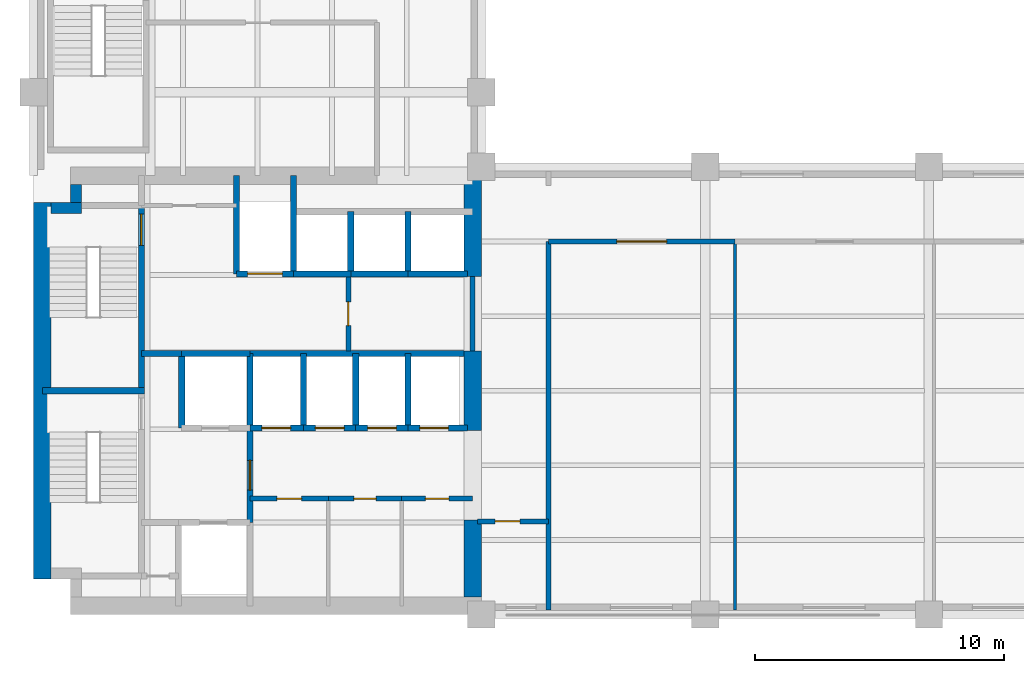
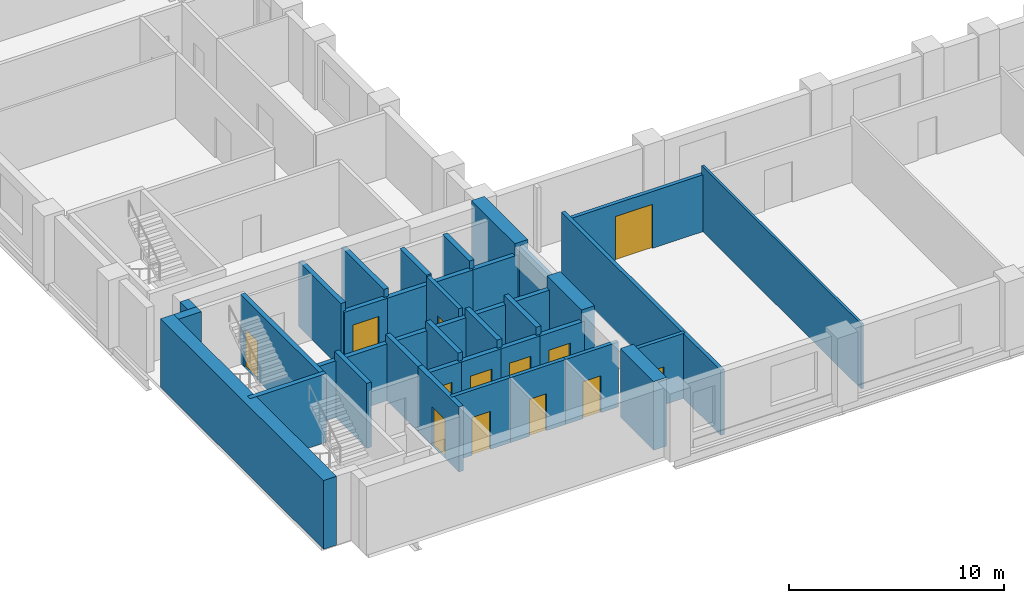
# One storey, part 3 of 7: 38 walls, 13 doors, 13 openings.
"""IFC4 building model written with IfcOpenShell, lengths in metres."""

from ifc_helpers import new_model, si_unit, direction, frame, frame_2d, origin, place, context, subcontext, project, spatial, rectangle, extrude, material, layer, layer_set, type_object, element, fill, save


model = new_model("IFC4")

# Units and contexts
model_context = context("Model", 3, precision=1e-05, world=origin(), true_north=direction((0.0, 1.0)))
body_context = subcontext(model_context, "Body", "Model", "MODEL_VIEW")
ifc_project = project(units=[si_unit("LENGTHUNIT", "METRE"), si_unit("AREAUNIT", "SQUARE_METRE"), si_unit("VOLUMEUNIT", "CUBIC_METRE"), si_unit("PLANEANGLEUNIT", "RADIAN"), si_unit("MASSUNIT", "GRAM", prefix="KILO")], contexts=[model_context])

# Site, building, storey
site_placement = place(None, origin())
site = spatial("IfcSite", under=ifc_project, at=site_placement, CompositionType="ELEMENT")
building_placement = place(site_placement, origin())
building = spatial("IfcBuilding", under=site, at=building_placement, Name="Mawjdan Bourse Tower", CompositionType="ELEMENT")
storey_placement = place(building_placement, frame((0.0, 0.0, 105.0)))
storey = spatial("IfcBuildingStorey", under=building, at=storey_placement, Name="L24", CompositionType="ELEMENT", Elevation=105.0)

# Wall, opening, door
ifc_material_1 = material(Name="Gypsum Fireboard Assembly")
ifc_layer_1 = layer(ifc_material_1, 0.199951171875)
ifc_layer_set_1 = layer_set([ifc_layer_1], Name="Gypsum Fireboard Assembly")
wall_type_1 = type_object("IfcWallType", Name="WL-CMP-200", PredefinedType="PARTITIONING", material=ifc_layer_set_1)
wall_1_placement = place(storey_placement, frame((14.699951171875, 7.659912109375, 0.0), z_axis=(0.0, 0.0, 1.0), x_axis=(1.0, 0.0, 0.0)))
wall_1 = element("IfcWall", 1, at=wall_1_placement, inside=storey, type_object=wall_type_1, Name="L24 Prayer & Quiet Reflection Room North Wall", PredefinedType="PARTITIONING", context=body_context, shape_type="SweptSolid", body=[
    extrude(rectangle(XDim=3.150146484375, YDim=0.199951171875, at=frame_2d((1.5751953125, 0.0))), origin(), (0.0, 0.0, 1.0), 3.68994140625),
])
opening_1_placement = place(wall_1_placement, frame((1.074951171875, 0.0, 0.0)))
opening_1 = element("IfcOpeningElement", 2, at=opening_1_placement, cuts=wall_1, Name="Opening D-L24-10", PredefinedType="OPENING", context=body_context, shape_type="SweptSolid", body=[
    extrude(rectangle(XDim=1.0, YDim=2.14990234375, at=frame_2d((0.5, 1.074951171875))), frame((0.0, 0.10986328125, 0.0), z_axis=(0.0, -1.0, 0.0), x_axis=(1.0, 0.0, 0.0)), (0.0, 0.0, 1.0), 0.219970703125),
])
ifc_material_2 = material(Name="Hardwood Acoustic Leaf", Category="wood")
door_type_1 = type_object("IfcDoorType", Name="DR-OFC-1000", OperationType="NOTDEFINED", PredefinedType="DOOR", material=ifc_material_2)
door_1_placement = place(opening_1_placement, origin())
door_1 = element("IfcDoor", 3, at=door_1_placement, inside=storey, type_object=door_type_1, Name="L24 Prayer & Quiet Reflection Room Door D-L24-10", OperationType="SINGLE_SWING_LEFT", OverallHeight=2.14990234375, OverallWidth=1.0, PredefinedType="DOOR", context=body_context, shape_type="SweptSolid", body=[
    extrude(rectangle(XDim=1.0, YDim=2.14990234375, at=frame_2d((0.5, 1.074951171875))), frame((0.0, 0.02490234375, 0.0), z_axis=(0.0, -1.0, 0.0), x_axis=(1.0, 0.0, 0.0)), (0.0, 0.0, 1.0), 0.050048828125),
])
fill(opening_1, door_1)

wall_2_placement = place(storey_placement, frame((17.85009765625, 7.659912109375, 0.0), z_axis=(0.0, 0.0, 1.0), x_axis=(1.0, 0.0, 0.0)))
wall_2 = element("IfcWall", 4, at=wall_2_placement, inside=storey, type_object=wall_type_1, Name="L24 Electrical Switchboard Room North Wall", PredefinedType="PARTITIONING", context=body_context, shape_type="SweptSolid", body=[
    extrude(rectangle(XDim=2.949951171875, YDim=0.199951171875, at=frame_2d((1.47509765625, 0.0))), origin(), (0.0, 0.0, 1.0), 3.68994140625),
])
opening_2_placement = place(wall_2_placement, frame((1.02490234375, 0.0, 0.0)))
opening_2 = element("IfcOpeningElement", 5, at=opening_2_placement, cuts=wall_2, Name="Opening D-L24-11", PredefinedType="OPENING", context=body_context, shape_type="SweptSolid", body=[
    extrude(rectangle(XDim=0.89990234375, YDim=2.10009765625, at=frame_2d((0.449951171875, 1.050048828125))), frame((0.0, 0.10986328125, 0.0), z_axis=(0.0, -1.0, 0.0), x_axis=(1.0, 0.0, 0.0)), (0.0, 0.0, 1.0), 0.219970703125),
])
ifc_material_3 = material(Name="Fire-Rated Steel Access Leaf", Category="steel")
door_type_2 = type_object("IfcDoorType", Name="FD-RSR-0900", OperationType="NOTDEFINED", PredefinedType="TRAPDOOR", material=ifc_material_3)
door_2_placement = place(opening_2_placement, origin())
door_2 = element("IfcDoor", 6, at=door_2_placement, inside=storey, type_object=door_type_2, Name="L24 Electrical Switchboard Room Door D-L24-11", OperationType="SINGLE_SWING_RIGHT", OverallHeight=2.10009765625, OverallWidth=0.89990234375, PredefinedType="TRAPDOOR", context=body_context, shape_type="SweptSolid", body=[
    extrude(rectangle(XDim=0.89990234375, YDim=2.10009765625, at=frame_2d((0.449951171875, 1.050048828125))), frame((0.0, 0.02490234375, 0.0), z_axis=(0.0, -1.0, 0.0), x_axis=(1.0, 0.0, 0.0)), (0.0, 0.0, 1.0), 0.050048828125),
])
fill(opening_2, door_2)

wall_3_placement = place(storey_placement, frame((20.800048828125, 7.659912109375, 0.0), z_axis=(0.0, 0.0, 1.0), x_axis=(1.0, 0.0, 0.0)))
wall_3 = element("IfcWall", 7, at=wall_3_placement, inside=storey, type_object=wall_type_1, Name="L24 Staff Beverage Pantry North Wall", PredefinedType="PARTITIONING", context=body_context, shape_type="SweptSolid", body=[
    extrude(rectangle(XDim=2.849853515625, YDim=0.199951171875, at=frame_2d((1.4248046875, 0.0))), origin(), (0.0, 0.0, 1.0), 3.68994140625),
])
opening_3_placement = place(wall_3_placement, frame((0.949951171875, 0.0, 0.0)))
opening_3 = element("IfcOpeningElement", 8, at=opening_3_placement, cuts=wall_3, Name="Opening D-L24-12", PredefinedType="OPENING", context=body_context, shape_type="SweptSolid", body=[
    extrude(rectangle(XDim=0.949951171875, YDim=2.10009765625, at=frame_2d((0.47509765625, 1.050048828125))), frame((0.0, 0.10986328125, 0.0), z_axis=(0.0, -1.0, 0.0), x_axis=(1.0, 0.0, 0.0)), (0.0, 0.0, 1.0), 0.219970703125),
])
ifc_material_4 = material(Name="Moisture-Resistant Laminate Timber", Category="wood")
door_type_3 = type_object("IfcDoorType", Name="DR-WET-0950", OperationType="NOTDEFINED", PredefinedType="DOOR", material=ifc_material_4)
door_3_placement = place(opening_3_placement, origin())
door_3 = element("IfcDoor", 9, at=door_3_placement, inside=storey, type_object=door_type_3, Name="L24 Staff Beverage Pantry Door D-L24-12", OperationType="SINGLE_SWING_LEFT", OverallHeight=2.10009765625, OverallWidth=0.949951171875, PredefinedType="DOOR", context=body_context, shape_type="SweptSolid", body=[
    extrude(rectangle(XDim=0.949951171875, YDim=2.10009765625, at=frame_2d((0.47509765625, 1.050048828125))), frame((0.0, 0.02490234375, 0.0), z_axis=(0.0, -1.0, 0.0), x_axis=(1.0, 0.0, 0.0)), (0.0, 0.0, 1.0), 0.050048828125),
])
fill(opening_3, door_3)

wall_4_placement = place(storey_placement, frame((18.64990234375, 13.60009765625, 0.0), z_axis=(0.0, 0.0, 1.0), x_axis=(0.0, 1.0, 0.0)))
wall_4 = element("IfcWall", 10, at=wall_4_placement, inside=storey, type_object=wall_type_1, Name="L24 Core Restroom West Wall", PredefinedType="PARTITIONING", context=body_context, shape_type="SweptSolid", body=[
    extrude(rectangle(XDim=3.0, YDim=0.199951171875, at=frame_2d((1.5, 0.0))), origin(), (0.0, 0.0, 1.0), 3.68994140625),
])
opening_4_placement = place(wall_4_placement, frame((1.02001953125, 0.0, 0.0)))
opening_4 = element("IfcOpeningElement", 11, at=opening_4_placement, cuts=wall_4, Name="Opening D-L24-17", PredefinedType="OPENING", context=body_context, shape_type="SweptSolid", body=[
    extrude(rectangle(XDim=0.949951171875, YDim=2.10009765625, at=frame_2d((0.47509765625, 1.050048828125))), frame((0.0, 0.10986328125, 0.0), z_axis=(0.0, -1.0, 0.0), x_axis=(1.0, 0.0, 0.0)), (0.0, 0.0, 1.0), 0.219970703125),
])
door_4_placement = place(opening_4_placement, origin())
door_4 = element("IfcDoor", 12, at=door_4_placement, inside=storey, type_object=door_type_3, Name="L24 Accessible WC Entry Door D-L24-17", OperationType="SINGLE_SWING_RIGHT", OverallHeight=2.10009765625, OverallWidth=0.949951171875, PredefinedType="DOOR", context=body_context, shape_type="SweptSolid", body=[
    extrude(rectangle(XDim=0.949951171875, YDim=2.10009765625, at=frame_2d((0.47509765625, 1.050048828125))), frame((0.0, 0.02490234375, 0.0), z_axis=(0.0, -1.0, 0.0), x_axis=(1.0, 0.0, 0.0)), (0.0, 0.0, 1.0), 0.050048828125),
])
fill(opening_4, door_4)

# Wall
wall_5_placement = place(storey_placement, frame((23.64990234375, 13.60009765625, 0.0), z_axis=(0.0, 0.0, 1.0), x_axis=(0.0, 1.0, 0.0)))
element("IfcWall", 13, at=wall_5_placement, inside=storey, type_object=wall_type_1, Name="L24 Core Restroom East Enclosing Wall", PredefinedType="PARTITIONING", context=body_context, shape_type="SweptSolid", body=[
    extrude(rectangle(XDim=3.0, YDim=0.199951171875, at=frame_2d((1.5, 0.0))), origin(), (0.0, 0.0, 1.0), 3.68994140625),
])

# Wall, opening, door
wall_6_placement = place(storey_placement, frame((23.85009765625, 6.75, 0.0), z_axis=(0.0, 0.0, 1.0), x_axis=(1.0, 0.0, 0.0)))
wall_6 = element("IfcWall", 14, at=wall_6_placement, inside=storey, type_object=wall_type_1, Name="L24 West Pocket North Wall", PredefinedType="PARTITIONING", context=body_context, shape_type="SweptSolid", body=[
    extrude(rectangle(XDim=2.849853515625, YDim=0.199951171875, at=frame_2d((1.4248046875, 0.0))), origin(), (0.0, 0.0, 1.0), 3.68994140625),
])
opening_5_placement = place(wall_6_placement, frame((0.699951171875, 0.0, 0.0)))
opening_5 = element("IfcOpeningElement", 15, at=opening_5_placement, cuts=wall_6, Name="Opening D-L24-20", PredefinedType="OPENING", context=body_context, shape_type="SweptSolid", body=[
    extrude(rectangle(XDim=1.0, YDim=2.14990234375, at=frame_2d((0.5, 1.074951171875))), frame((0.0, 0.10986328125, 0.0), z_axis=(0.0, -1.0, 0.0), x_axis=(1.0, 0.0, 0.0)), (0.0, 0.0, 1.0), 0.219970703125),
])
door_5_placement = place(opening_5_placement, origin())
door_5 = element("IfcDoor", 16, at=door_5_placement, inside=storey, type_object=door_type_1, Name="L24 West Pocket Office Door D-L24-20", OperationType="SINGLE_SWING_LEFT", OverallHeight=2.14990234375, OverallWidth=1.0, PredefinedType="DOOR", context=body_context, shape_type="SweptSolid", body=[
    extrude(rectangle(XDim=1.0, YDim=2.14990234375, at=frame_2d((0.5, 1.074951171875))), frame((0.0, 0.02490234375, 0.0), z_axis=(0.0, -1.0, 0.0), x_axis=(1.0, 0.0, 0.0)), (0.0, 0.0, 1.0), 0.050048828125),
])
fill(opening_5, door_5)

# Wall
wall_7_placement = place(storey_placement, frame((26.699951171875, 3.179931640625, 0.0), z_axis=(0.0, 0.0, 1.0), x_axis=(0.0, 1.0, 0.0)))
element("IfcWall", 17, at=wall_7_placement, inside=storey, type_object=wall_type_1, Name="L24 Vestibule South East Wall", PredefinedType="PARTITIONING", context=body_context, shape_type="SweptSolid", body=[
    extrude(rectangle(XDim=14.820068359375, YDim=0.199951171875, at=frame_2d((7.41015625, 0.0))), origin(), (0.0, 0.0, 1.0), 3.68994140625),
])

# Wall, opening, door
wall_8_placement = place(storey_placement, frame((26.699951171875, 18.0, 0.0), z_axis=(0.0, 0.0, 1.0), x_axis=(1.0, 0.0, 0.0)))
wall_8 = element("IfcWall", 18, at=wall_8_placement, inside=storey, type_object=wall_type_1, Name="L24 Institutional Brokerage Hall Corridor Wall", PredefinedType="PARTITIONING", context=body_context, shape_type="SweptSolid", body=[
    extrude(rectangle(XDim=7.5, YDim=0.199951171875, at=frame_2d((3.75, 0.0))), origin(), (0.0, 0.0, 1.0), 3.22705078125),
])
opening_6_placement = place(wall_8_placement, frame((2.75, 0.0, 0.0)))
opening_6 = element("IfcOpeningElement", 19, at=opening_6_placement, cuts=wall_8, Name="Opening D-L24-21", PredefinedType="OPENING", context=body_context, shape_type="SweptSolid", body=[
    extrude(rectangle(XDim=2.0, YDim=2.5, at=frame_2d((1.0, 1.25))), frame((0.0, 0.10986328125, 0.0), z_axis=(0.0, -1.0, 0.0), x_axis=(1.0, 0.0, 0.0)), (0.0, 0.0, 1.0), 0.219970703125),
])
ifc_material_5 = material(Name="Acoustic Veneered Timber", Category="wood")
door_type_4 = type_object("IfcDoorType", Name="DR-ASM-2000", OperationType="DOUBLE_DOOR_SINGLE_SWING", PredefinedType="DOOR", material=ifc_material_5)
door_6_placement = place(opening_6_placement, origin())
door_6 = element("IfcDoor", 20, at=door_6_placement, inside=storey, type_object=door_type_4, Name="L24 Institutional Brokerage Hall Door D-L24-21", OperationType="DOUBLE_DOOR_SINGLE_SWING", OverallHeight=2.5, OverallWidth=2.0, PredefinedType="DOOR", context=body_context, shape_type="SweptSolid", body=[
    extrude(rectangle(XDim=2.0, YDim=2.5, at=frame_2d((1.0, 1.25))), frame((0.0, 0.02490234375, 0.0), z_axis=(0.0, -1.0, 0.0), x_axis=(1.0, 0.0, 0.0)), (0.0, 0.0, 1.0), 0.050048828125),
])
fill(opening_6, door_6)

# Walls
ifc_material_6 = material(Name="Concrete C60/75", Category="concrete")
ifc_layer_2 = layer(ifc_material_6, 0.449951171875)
ifc_layer_set_2 = layer_set([ifc_layer_2], Name="Concrete C60/75")
wall_type_2 = type_object("IfcWallType", Name="WL-CORE-450", PredefinedType="SHEAR", material=ifc_layer_set_2)
wall_9_placement = place(storey_placement, frame((6.699951171875, 19.35009765625, 0.0), z_axis=(0.0, 0.0, 1.0), x_axis=(1.0, 0.0, 0.0)))
element("IfcWall", 21, at=wall_9_placement, inside=storey, type_object=wall_type_2, Name="L24 Rear Core Shear Wall NW-X", PredefinedType="SHEAR", context=body_context, shape_type="SweptSolid", body=[
    extrude(rectangle(XDim=1.22509765625, YDim=0.449951171875, at=frame_2d((0.612548828125, 0.0))), origin(), (0.0, 0.0, 1.0), 3.89990234375),
])
wall_10_placement = place(storey_placement, frame((7.699951171875, 19.574951171875, 0.0), z_axis=(0.0, 0.0, 1.0), x_axis=(0.0, 1.0, 0.0)))
element("IfcWall", 22, at=wall_10_placement, inside=storey, type_object=wall_type_2, Name="L24 Rear Core Shear Wall NW-Y", PredefinedType="SHEAR", context=body_context, shape_type="SweptSolid", body=[
    extrude(rectangle(XDim=0.72509765625, YDim=0.449951171875, at=frame_2d((0.362548828125, 0.0))), origin(), (0.0, 0.0, 1.0), 3.89990234375),
])
ifc_material_7 = material(Name="Concrete C70/85", Category="concrete")
ifc_layer_3 = layer(ifc_material_7, 0.699951171875)
ifc_layer_set_3 = layer_set([ifc_layer_3], Name="Concrete C70/85")
wall_type_3 = type_object("IfcWallType", Name="WL-CORE-700", PredefinedType="SHEAR", material=ifc_layer_set_3)
wall_11_placement = place(storey_placement, frame((6.35009765625, 4.425048828125, 0.0), z_axis=(0.0, 0.0, 1.0), x_axis=(0.0, 1.0, 0.0)))
element("IfcWall", 23, at=wall_11_placement, inside=storey, type_object=wall_type_3, Name="L24 Rear Core Shear Wall W", PredefinedType="SHEAR", context=body_context, shape_type="SweptSolid", body=[
    extrude(rectangle(XDim=15.14990234375, YDim=0.699951171875, at=frame_2d((7.574951171875, 0.0))), origin(), (0.0, 0.0, 1.0), 3.89990234375),
])
wall_12_placement = place(storey_placement, frame((23.64990234375, 3.699951171875, 0.0), z_axis=(0.0, 0.0, 1.0), x_axis=(0.0, 1.0, 0.0)))
element("IfcWall", 24, at=wall_12_placement, inside=storey, type_object=wall_type_3, Name="L24 Rear Core Shear Wall E1", PredefinedType="SHEAR", context=body_context, shape_type="SweptSolid", body=[
    extrude(rectangle(XDim=3.10009765625, YDim=0.699951171875, at=frame_2d((1.550048828125, 0.0))), origin(), (0.0, 0.0, 1.0), 3.89990234375),
])
wall_13_placement = place(storey_placement, frame((23.64990234375, 10.39990234375, 0.0), z_axis=(0.0, 0.0, 1.0), x_axis=(0.0, 1.0, 0.0)))
element("IfcWall", 25, at=wall_13_placement, inside=storey, type_object=wall_type_3, Name="L24 Rear Core Shear Wall E2", PredefinedType="SHEAR", context=body_context, shape_type="SweptSolid", body=[
    extrude(rectangle(XDim=3.2001953125, YDim=0.699951171875, at=frame_2d((1.60009765625, 0.0))), origin(), (0.0, 0.0, 1.0), 3.89990234375),
])
wall_14_placement = place(storey_placement, frame((23.64990234375, 16.60009765625, 0.0), z_axis=(0.0, 0.0, 1.0), x_axis=(0.0, 1.0, 0.0)))
element("IfcWall", 26, at=wall_14_placement, inside=storey, type_object=wall_type_3, Name="L24 Rear Core Shear Wall E3", PredefinedType="SHEAR", context=body_context, shape_type="SweptSolid", body=[
    extrude(rectangle(XDim=4.0498046875, YDim=0.699951171875, at=frame_2d((2.02490234375, 0.0))), origin(), (0.0, 0.0, 1.0), 3.89990234375),
])
ifc_material_8 = material(Name="Gypsum Partition")
ifc_layer_4 = layer(ifc_material_8, 0.125)
ifc_layer_set_4 = layer_set([ifc_layer_4], Name="Gypsum Partition")
wall_type_4 = type_object("IfcWallType", Name="WL-PRT-125", PredefinedType="PARTITIONING", material=ifc_layer_set_4)
wall_15_placement = place(storey_placement, frame((34.199951171875, 3.179931640625, 0.0), z_axis=(0.0, 0.0, 1.0), x_axis=(0.0, 1.0, 0.0)))
element("IfcWall", 27, at=wall_15_placement, inside=storey, type_object=wall_type_4, Name="L24 Conference Room Partition", PredefinedType="PARTITIONING", context=body_context, shape_type="SweptSolid", body=[
    extrude(rectangle(XDim=14.820068359375, YDim=0.125, at=frame_2d((7.41015625, 0.0))), origin(), (0.0, 0.0, 1.0), 3.68994140625),
])
ifc_material_9 = material(Name="Concrete C50/60", Category="concrete")
ifc_layer_5 = layer(ifc_material_9, 0.25)
ifc_layer_set_5 = layer_set([ifc_layer_5], Name="Concrete C50/60")
wall_type_5 = type_object("IfcWallType", Name="WL-SHFT-250", PredefinedType="PARTITIONING", material=ifc_layer_set_5)
wall_16_placement = place(storey_placement, frame((11.949951171875, 10.5, 0.0), z_axis=(0.0, 0.0, 1.0), x_axis=(0.0, 1.0, 0.0)))
element("IfcWall", 28, at=wall_16_placement, inside=storey, type_object=wall_type_5, Name="L24 FFL-02 West Shaft Wall", PredefinedType="PARTITIONING", context=body_context, shape_type="SweptSolid", body=[
    extrude(rectangle(XDim=3.0, YDim=0.25, at=frame_2d((1.5, 0.0))), origin(), (0.0, 0.0, 1.0), 3.68994140625),
])
wall_17_placement = place(storey_placement, frame((11.949951171875, 13.5, 0.0), z_axis=(0.0, 0.0, 1.0), x_axis=(1.0, 0.0, 0.0)))
element("IfcWall", 29, at=wall_17_placement, inside=storey, type_object=wall_type_5, Name="L24 FFL-02 North Shaft Wall", PredefinedType="PARTITIONING", context=body_context, shape_type="SweptSolid", body=[
    extrude(rectangle(XDim=2.75, YDim=0.25, at=frame_2d((1.375, 0.0))), origin(), (0.0, 0.0, 1.0), 3.22705078125),
])
wall_18_placement = place(storey_placement, frame((14.699951171875, 10.5, 0.0), z_axis=(0.0, 0.0, 1.0), x_axis=(0.0, 1.0, 0.0)))
element("IfcWall", 30, at=wall_18_placement, inside=storey, type_object=wall_type_5, Name="L24 FFL-02 East Shaft Wall", PredefinedType="PARTITIONING", context=body_context, shape_type="SweptSolid", body=[
    extrude(rectangle(XDim=3.0, YDim=0.25, at=frame_2d((1.5, 0.0))), origin(), (0.0, 0.0, 1.0), 3.68994140625),
])

# Wall, opening, door
wall_19_placement = place(storey_placement, frame((14.699951171875, 6.699951171875, 0.0), z_axis=(0.0, 0.0, 1.0), x_axis=(0.0, 1.0, 0.0)))
wall_19 = element("IfcWall", 31, at=wall_19_placement, inside=storey, type_object=wall_type_5, Name="L24 Firefighting Lobby East Compartment Wall", PredefinedType="PARTITIONING", context=body_context, shape_type="SweptSolid", body=[
    extrude(rectangle(XDim=3.800048828125, YDim=0.25, at=frame_2d((1.89990234375, 0.0))), origin(), (0.0, 0.0, 1.0), 3.68994140625),
])
opening_7_placement = place(wall_19_placement, frame((1.300048828125, 0.0, 0.0)))
opening_7 = element("IfcOpeningElement", 32, at=opening_7_placement, cuts=wall_19, Name="Opening FD-L24-07", PredefinedType="OPENING", context=body_context, shape_type="SweptSolid", body=[
    extrude(rectangle(XDim=1.199951171875, YDim=2.199951171875, at=frame_2d((0.60009765625, 1.10009765625))), frame((0.0, 0.135009765625, 0.0), z_axis=(0.0, -1.0, 0.0), x_axis=(1.0, 0.0, 0.0)), (0.0, 0.0, 1.0), 0.27001953125),
])
ifc_material_10 = material(Name="Fire-Rated Steel Leaf", Category="steel")
door_type_5 = type_object("IfcDoorType", Name="FD-FFL-1200", OperationType="NOTDEFINED", PredefinedType="DOOR", material=ifc_material_10)
door_7_placement = place(opening_7_placement, origin())
door_7 = element("IfcDoor", 33, at=door_7_placement, inside=storey, type_object=door_type_5, Name="L24 Firefighting Lobby East Smoke Door FD-L24-07", OperationType="SINGLE_SWING_LEFT", OverallHeight=2.199951171875, OverallWidth=1.199951171875, PredefinedType="DOOR", context=body_context, shape_type="SweptSolid", body=[
    extrude(rectangle(XDim=1.199951171875, YDim=2.199951171875, at=frame_2d((0.60009765625, 1.10009765625))), frame((0.0, 0.02490234375, 0.0), z_axis=(0.0, -1.0, 0.0), x_axis=(1.0, 0.0, 0.0)), (0.0, 0.0, 1.0), 0.050048828125),
])
fill(opening_7, door_7)

# Wall
wall_20_placement = place(storey_placement, frame((10.330078125, 13.5, 0.0), z_axis=(0.0, 0.0, 1.0), x_axis=(1.0, 0.0, 0.0)))
element("IfcWall", 34, at=wall_20_placement, inside=storey, type_object=wall_type_5, Name="L24 Firefighting Lobby North Compartment Wall", PredefinedType="PARTITIONING", context=body_context, shape_type="SweptSolid", body=[
    extrude(rectangle(XDim=1.619873046875, YDim=0.25, at=frame_2d((0.81005859375, 0.0))), origin(), (0.0, 0.0, 1.0), 3.22705078125),
])

# Wall, opening, door
wall_21_placement = place(storey_placement, frame((14.14990234375, 16.699951171875, 0.0), z_axis=(0.0, 0.0, 1.0), x_axis=(1.0, 0.0, 0.0)))
wall_21 = element("IfcWall", 35, at=wall_21_placement, inside=storey, type_object=wall_type_5, Name="L24 SVL-01 Front Shaft Wall", PredefinedType="PARTITIONING", context=body_context, shape_type="SweptSolid", body=[
    extrude(rectangle(XDim=2.300048828125, YDim=0.25, at=frame_2d((1.14990234375, 0.0))), origin(), (0.0, 0.0, 1.0), 3.22705078125),
])
opening_8_placement = place(wall_21_placement, frame((0.449951171875, 0.0, 0.0)))
opening_8 = element("IfcOpeningElement", 36, at=opening_8_placement, cuts=wall_21, Name="Opening LD-L24-09", PredefinedType="OPENING", context=body_context, shape_type="SweptSolid", body=[
    extrude(rectangle(XDim=1.39990234375, YDim=2.35009765625, at=frame_2d((0.699951171875, 1.175048828125))), frame((0.0, 0.135009765625, 0.0), z_axis=(0.0, -1.0, 0.0), x_axis=(1.0, 0.0, 0.0)), (0.0, 0.0, 1.0), 0.27001953125),
])
ifc_material_11 = material(Name="Heavy-Duty Stainless Steel", Category="steel")
door_type_6 = type_object("IfcDoorType", Name="LD-SRV-1400", OperationType="DOUBLE_DOOR_SLIDING", PredefinedType="DOOR", material=ifc_material_11)
door_8_placement = place(opening_8_placement, origin())
door_8 = element("IfcDoor", 37, at=door_8_placement, inside=storey, type_object=door_type_6, Name="L24 Service Lift SVL-01 Landing Door LD-L24-09", OperationType="DOUBLE_DOOR_SLIDING", OverallHeight=2.35009765625, OverallWidth=1.39990234375, PredefinedType="DOOR", context=body_context, shape_type="SweptSolid", body=[
    extrude(rectangle(XDim=1.39990234375, YDim=2.35009765625, at=frame_2d((0.699951171875, 1.175048828125))), frame((0.0, 0.02490234375, 0.0), z_axis=(0.0, -1.0, 0.0), x_axis=(1.0, 0.0, 0.0)), (0.0, 0.0, 1.0), 0.050048828125),
])
fill(opening_8, door_8)

# Walls
for number, where, z_axis, x_axis, name in (
    (38, (14.14990234375, 16.699951171875, 0.0), (0.0, 0.0, 1.0), (0.0, 1.0, 0.0), "L24 SVL-01 West Shaft Wall"),
    (39, (16.449951171875, 16.699951171875, 0.0), (0.0, 0.0, 1.0), (0.0, 1.0, 0.0), "L24 SVL-01 East Shaft Wall"),
):
    element("IfcWall", number, at=place(storey_placement, frame(where, z_axis=z_axis, x_axis=x_axis)), inside=storey, type_object=wall_type_5, Name=name, PredefinedType="PARTITIONING", context=body_context, shape_type="SweptSolid", body=[
        extrude(rectangle(XDim=3.949951171875, YDim=0.25, at=frame_2d((1.97509765625, 0.0))), origin(), (0.0, 0.0, 1.0), 3.68994140625),
    ])
wall_22_placement = place(storey_placement, frame((16.449951171875, 16.699951171875, 0.0), z_axis=(0.0, 0.0, 1.0), x_axis=(1.0, 0.0, 0.0)))
element("IfcWall", 40, at=wall_22_placement, inside=storey, type_object=wall_type_5, Name="L24 PH-01 Front Wall", PredefinedType="PARTITIONING", context=body_context, shape_type="SweptSolid", body=[
    extrude(rectangle(XDim=2.300048828125, YDim=0.25, at=frame_2d((1.14990234375, 0.0))), origin(), (0.0, 0.0, 1.0), 3.22705078125),
])
wall_23_placement = place(storey_placement, frame((18.75, 16.699951171875, 0.0), z_axis=(0.0, 0.0, 1.0), x_axis=(0.0, 1.0, 0.0)))
element("IfcWall", 41, at=wall_23_placement, inside=storey, type_object=wall_type_5, Name="L24 PH-01 Divider Wall", PredefinedType="PARTITIONING", context=body_context, shape_type="SweptSolid", body=[
    extrude(rectangle(XDim=2.5, YDim=0.25, at=frame_2d((1.25, 0.0))), origin(), (0.0, 0.0, 1.0), 3.68994140625),
])
wall_24_placement = place(storey_placement, frame((18.75, 16.699951171875, 0.0), z_axis=(0.0, 0.0, 1.0), x_axis=(1.0, 0.0, 0.0)))
element("IfcWall", 42, at=wall_24_placement, inside=storey, type_object=wall_type_5, Name="L24 PH-02 Front Wall", PredefinedType="PARTITIONING", context=body_context, shape_type="SweptSolid", body=[
    extrude(rectangle(XDim=2.300048828125, YDim=0.25, at=frame_2d((1.14990234375, 0.0))), origin(), (0.0, 0.0, 1.0), 3.22705078125),
])
wall_25_placement = place(storey_placement, frame((21.050048828125, 16.699951171875, 0.0), z_axis=(0.0, 0.0, 1.0), x_axis=(0.0, 1.0, 0.0)))
element("IfcWall", 43, at=wall_25_placement, inside=storey, type_object=wall_type_5, Name="L24 PH-02 Divider Wall", PredefinedType="PARTITIONING", context=body_context, shape_type="SweptSolid", body=[
    extrude(rectangle(XDim=2.5, YDim=0.25, at=frame_2d((1.25, 0.0))), origin(), (0.0, 0.0, 1.0), 3.68994140625),
])
wall_26_placement = place(storey_placement, frame((21.050048828125, 16.699951171875, 0.0), z_axis=(0.0, 0.0, 1.0), x_axis=(1.0, 0.0, 0.0)))
element("IfcWall", 44, at=wall_26_placement, inside=storey, type_object=wall_type_5, Name="L24 PH-03 Front Wall", PredefinedType="PARTITIONING", context=body_context, shape_type="SweptSolid", body=[
    extrude(rectangle(XDim=2.39990234375, YDim=0.25, at=frame_2d((1.199951171875, 0.0))), origin(), (0.0, 0.0, 1.0), 3.22705078125),
])

# Wall, opening, door
wall_27_placement = place(storey_placement, frame((14.699951171875, 10.5, 0.0), z_axis=(0.0, 0.0, 1.0), x_axis=(1.0, 0.0, 0.0)))
wall_27 = element("IfcWall", 45, at=wall_27_placement, inside=storey, type_object=wall_type_5, Name="L24 PM-01 Front Wall", PredefinedType="PARTITIONING", context=body_context, shape_type="SweptSolid", body=[
    extrude(rectangle(XDim=2.150146484375, YDim=0.25, at=frame_2d((1.0751953125, 0.0))), origin(), (0.0, 0.0, 1.0), 3.22705078125),
])
opening_9_placement = place(wall_27_placement, frame((0.47998046875, 0.0, 0.0)))
opening_9 = element("IfcOpeningElement", 46, at=opening_9_placement, cuts=wall_27, Name="Opening LD-L24-13", PredefinedType="OPENING", context=body_context, shape_type="SweptSolid", body=[
    extrude(rectangle(XDim=1.14990234375, YDim=2.25, at=frame_2d((0.574951171875, 1.125))), frame((0.0, 0.135009765625, 0.0), z_axis=(0.0, -1.0, 0.0), x_axis=(1.0, 0.0, 0.0)), (0.0, 0.0, 1.0), 0.27001953125),
])
ifc_material_12 = material(Name="Brushed Stainless Steel", Category="steel")
door_type_7 = type_object("IfcDoorType", Name="LD-PAS-1150", OperationType="DOUBLE_DOOR_SLIDING", PredefinedType="DOOR", material=ifc_material_12)
door_9_placement = place(opening_9_placement, origin())
door_9 = element("IfcDoor", 47, at=door_9_placement, inside=storey, type_object=door_type_7, Name="L24 Lift PM-01 Landing Door LD-L24-13", OperationType="DOUBLE_DOOR_SLIDING", OverallHeight=2.25, OverallWidth=1.14990234375, PredefinedType="DOOR", context=body_context, shape_type="SweptSolid", body=[
    extrude(rectangle(XDim=1.14990234375, YDim=2.25, at=frame_2d((0.574951171875, 1.125))), frame((0.0, 0.02490234375, 0.0), z_axis=(0.0, -1.0, 0.0), x_axis=(1.0, 0.0, 0.0)), (0.0, 0.0, 1.0), 0.050048828125),
])
fill(opening_9, door_9)

# Wall
wall_28_placement = place(storey_placement, frame((16.85009765625, 10.5, 0.0), z_axis=(0.0, 0.0, 1.0), x_axis=(0.0, 1.0, 0.0)))
element("IfcWall", 48, at=wall_28_placement, inside=storey, type_object=wall_type_5, Name="L24 PM-01 Divider Wall", PredefinedType="PARTITIONING", context=body_context, shape_type="SweptSolid", body=[
    extrude(rectangle(XDim=3.0, YDim=0.25, at=frame_2d((1.5, 0.0))), origin(), (0.0, 0.0, 1.0), 3.68994140625),
])

# Wall, opening, door
wall_29_placement = place(storey_placement, frame((16.85009765625, 10.5, 0.0), z_axis=(0.0, 0.0, 1.0), x_axis=(1.0, 0.0, 0.0)))
wall_29 = element("IfcWall", 49, at=wall_29_placement, inside=storey, type_object=wall_type_5, Name="L24 PM-02 Front Wall", PredefinedType="PARTITIONING", context=body_context, shape_type="SweptSolid", body=[
    extrude(rectangle(XDim=2.099853515625, YDim=0.25, at=frame_2d((1.0498046875, 0.0))), origin(), (0.0, 0.0, 1.0), 3.22705078125),
])
opening_10_placement = place(wall_29_placement, frame((0.47998046875, 0.0, 0.0)))
opening_10 = element("IfcOpeningElement", 50, at=opening_10_placement, cuts=wall_29, Name="Opening LD-L24-14", PredefinedType="OPENING", context=body_context, shape_type="SweptSolid", body=[
    extrude(rectangle(XDim=1.14990234375, YDim=2.25, at=frame_2d((0.574951171875, 1.125))), frame((0.0, 0.135009765625, 0.0), z_axis=(0.0, -1.0, 0.0), x_axis=(1.0, 0.0, 0.0)), (0.0, 0.0, 1.0), 0.27001953125),
])
door_10_placement = place(opening_10_placement, origin())
door_10 = element("IfcDoor", 51, at=door_10_placement, inside=storey, type_object=door_type_7, Name="L24 Lift PM-02 Landing Door LD-L24-14", OperationType="DOUBLE_DOOR_SLIDING", OverallHeight=2.25, OverallWidth=1.14990234375, PredefinedType="DOOR", context=body_context, shape_type="SweptSolid", body=[
    extrude(rectangle(XDim=1.14990234375, YDim=2.25, at=frame_2d((0.574951171875, 1.125))), frame((0.0, 0.02490234375, 0.0), z_axis=(0.0, -1.0, 0.0), x_axis=(1.0, 0.0, 0.0)), (0.0, 0.0, 1.0), 0.050048828125),
])
fill(opening_10, door_10)

# Wall
wall_30_placement = place(storey_placement, frame((18.949951171875, 10.5, 0.0), z_axis=(0.0, 0.0, 1.0), x_axis=(0.0, 1.0, 0.0)))
element("IfcWall", 52, at=wall_30_placement, inside=storey, type_object=wall_type_5, Name="L24 PM-02 Divider Wall", PredefinedType="PARTITIONING", context=body_context, shape_type="SweptSolid", body=[
    extrude(rectangle(XDim=3.0, YDim=0.25, at=frame_2d((1.5, 0.0))), origin(), (0.0, 0.0, 1.0), 3.68994140625),
])

# Wall, opening, door
wall_31_placement = place(storey_placement, frame((18.949951171875, 10.5, 0.0), z_axis=(0.0, 0.0, 1.0), x_axis=(1.0, 0.0, 0.0)))
wall_31 = element("IfcWall", 53, at=wall_31_placement, inside=storey, type_object=wall_type_5, Name="L24 PM-03 Front Wall", PredefinedType="PARTITIONING", context=body_context, shape_type="SweptSolid", body=[
    extrude(rectangle(XDim=2.10009765625, YDim=0.25, at=frame_2d((1.050048828125, 0.0))), origin(), (0.0, 0.0, 1.0), 3.22705078125),
])
opening_11_placement = place(wall_31_placement, frame((0.47998046875, 0.0, 0.0)))
opening_11 = element("IfcOpeningElement", 54, at=opening_11_placement, cuts=wall_31, Name="Opening LD-L24-15", PredefinedType="OPENING", context=body_context, shape_type="SweptSolid", body=[
    extrude(rectangle(XDim=1.14990234375, YDim=2.25, at=frame_2d((0.574951171875, 1.125))), frame((0.0, 0.135009765625, 0.0), z_axis=(0.0, -1.0, 0.0), x_axis=(1.0, 0.0, 0.0)), (0.0, 0.0, 1.0), 0.27001953125),
])
door_11_placement = place(opening_11_placement, origin())
door_11 = element("IfcDoor", 55, at=door_11_placement, inside=storey, type_object=door_type_7, Name="L24 Lift PM-03 Landing Door LD-L24-15", OperationType="DOUBLE_DOOR_SLIDING", OverallHeight=2.25, OverallWidth=1.14990234375, PredefinedType="DOOR", context=body_context, shape_type="SweptSolid", body=[
    extrude(rectangle(XDim=1.14990234375, YDim=2.25, at=frame_2d((0.574951171875, 1.125))), frame((0.0, 0.02490234375, 0.0), z_axis=(0.0, -1.0, 0.0), x_axis=(1.0, 0.0, 0.0)), (0.0, 0.0, 1.0), 0.050048828125),
])
fill(opening_11, door_11)

# Wall
wall_32_placement = place(storey_placement, frame((21.050048828125, 10.5, 0.0), z_axis=(0.0, 0.0, 1.0), x_axis=(0.0, 1.0, 0.0)))
element("IfcWall", 56, at=wall_32_placement, inside=storey, type_object=wall_type_5, Name="L24 PM-03 Divider Wall", PredefinedType="PARTITIONING", context=body_context, shape_type="SweptSolid", body=[
    extrude(rectangle(XDim=3.0, YDim=0.25, at=frame_2d((1.5, 0.0))), origin(), (0.0, 0.0, 1.0), 3.68994140625),
])

# Wall, opening, door
wall_33_placement = place(storey_placement, frame((21.050048828125, 10.5, 0.0), z_axis=(0.0, 0.0, 1.0), x_axis=(1.0, 0.0, 0.0)))
wall_33 = element("IfcWall", 57, at=wall_33_placement, inside=storey, type_object=wall_type_5, Name="L24 PM-04 Front Wall", PredefinedType="PARTITIONING", context=body_context, shape_type="SweptSolid", body=[
    extrude(rectangle(XDim=2.39990234375, YDim=0.25, at=frame_2d((1.199951171875, 0.0))), origin(), (0.0, 0.0, 1.0), 3.22705078125),
])
opening_12_placement = place(wall_33_placement, frame((0.47998046875, 0.0, 0.0)))
opening_12 = element("IfcOpeningElement", 58, at=opening_12_placement, cuts=wall_33, Name="Opening LD-L24-16", PredefinedType="OPENING", context=body_context, shape_type="SweptSolid", body=[
    extrude(rectangle(XDim=1.14990234375, YDim=2.25, at=frame_2d((0.574951171875, 1.125))), frame((0.0, 0.135009765625, 0.0), z_axis=(0.0, -1.0, 0.0), x_axis=(1.0, 0.0, 0.0)), (0.0, 0.0, 1.0), 0.27001953125),
])
door_12_placement = place(opening_12_placement, origin())
door_12 = element("IfcDoor", 59, at=door_12_placement, inside=storey, type_object=door_type_7, Name="L24 Lift PM-04 Landing Door LD-L24-16", OperationType="DOUBLE_DOOR_SLIDING", OverallHeight=2.25, OverallWidth=1.14990234375, PredefinedType="DOOR", context=body_context, shape_type="SweptSolid", body=[
    extrude(rectangle(XDim=1.14990234375, YDim=2.25, at=frame_2d((0.574951171875, 1.125))), frame((0.0, 0.02490234375, 0.0), z_axis=(0.0, -1.0, 0.0), x_axis=(1.0, 0.0, 0.0)), (0.0, 0.0, 1.0), 0.050048828125),
])
fill(opening_12, door_12)

# Walls
wall_34_placement = place(storey_placement, frame((14.699951171875, 13.5, 0.0), z_axis=(0.0, 0.0, 1.0), x_axis=(1.0, 0.0, 0.0)))
element("IfcWall", 60, at=wall_34_placement, inside=storey, type_object=wall_type_5, Name="L24 PM Bank North Shaft Back Wall", PredefinedType="PARTITIONING", context=body_context, shape_type="SweptSolid", body=[
    extrude(rectangle(XDim=8.949951171875, YDim=0.25, at=frame_2d((4.47509765625, 0.0))), origin(), (0.0, 0.0, 1.0), 3.22705078125),
])
ifc_layer_6 = layer(ifc_material_9, 0.25)
ifc_layer_set_6 = layer_set([ifc_layer_6], Name="Concrete C50/60")
wall_type_6 = type_object("IfcWallType", Name="WL-STRW-250", PredefinedType="SHEAR", material=ifc_layer_set_6)
wall_35_placement = place(storey_placement, frame((6.35009765625, 12.0, 0.0), z_axis=(0.0, 0.0, 1.0), x_axis=(1.0, 0.0, 0.0)))
element("IfcWall", 61, at=wall_35_placement, inside=storey, type_object=wall_type_6, Name="L24 Stairwell Dividing Shaft Wall", PredefinedType="SHEAR", context=body_context, shape_type="SweptSolid", body=[
    extrude(rectangle(XDim=4.10498046875, YDim=0.25, at=frame_2d((2.052490234375, 0.0))), origin(), (0.0, 0.0, 1.0), 3.89990234375),
])

# Wall, opening, door
wall_36_placement = place(storey_placement, frame((10.330078125, 12.0, 0.0), z_axis=(0.0, 0.0, 1.0), x_axis=(0.0, 1.0, 0.0)))
wall_36 = element("IfcWall", 62, at=wall_36_placement, inside=storey, type_object=wall_type_6, Name="L24 Stairwell ST2 East Enclosure Wall", PredefinedType="SHEAR", context=body_context, shape_type="SweptSolid", body=[
    extrude(rectangle(XDim=7.449951171875, YDim=0.25, at=frame_2d((3.72509765625, 0.0))), origin(), (0.0, 0.0, 1.0), 3.89990234375),
])
opening_13_placement = place(wall_36_placement, frame((5.85009765625, 0.0, 0.0)))
opening_13 = element("IfcOpeningElement", 63, at=opening_13_placement, cuts=wall_36, Name="Opening SD-L24-02", PredefinedType="OPENING", context=body_context, shape_type="SweptSolid", body=[
    extrude(rectangle(XDim=1.25, YDim=2.199951171875, at=frame_2d((0.625, 1.10009765625))), frame((0.0, 0.135009765625, 0.0), z_axis=(0.0, -1.0, 0.0), x_axis=(1.0, 0.0, 0.0)), (0.0, 0.0, 1.0), 0.27001953125),
])
door_type_8 = type_object("IfcDoorType", Name="FD-ST-1250", OperationType="NOTDEFINED", PredefinedType="DOOR", material=ifc_material_10)
door_13_placement = place(opening_13_placement, origin())
door_13 = element("IfcDoor", 64, at=door_13_placement, inside=storey, type_object=door_type_8, Name="L24 Exit Stair ST2 Fire Door SD-L24-02", OperationType="SINGLE_SWING_RIGHT", OverallHeight=2.199951171875, OverallWidth=1.25, PredefinedType="DOOR", context=body_context, shape_type="SweptSolid", body=[
    extrude(rectangle(XDim=1.25, YDim=2.199951171875, at=frame_2d((0.625, 1.10009765625))), frame((0.0, 0.02490234375, 0.0), z_axis=(0.0, -1.0, 0.0), x_axis=(1.0, 0.0, 0.0)), (0.0, 0.0, 1.0), 0.050048828125),
])
fill(opening_13, door_13)

save(model, "model.ifc")
